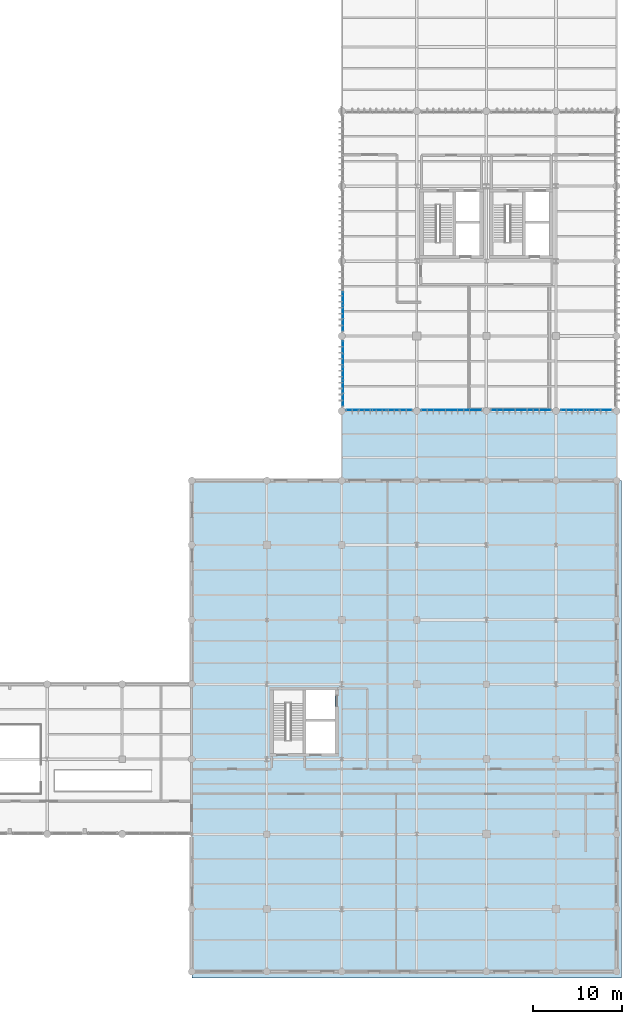
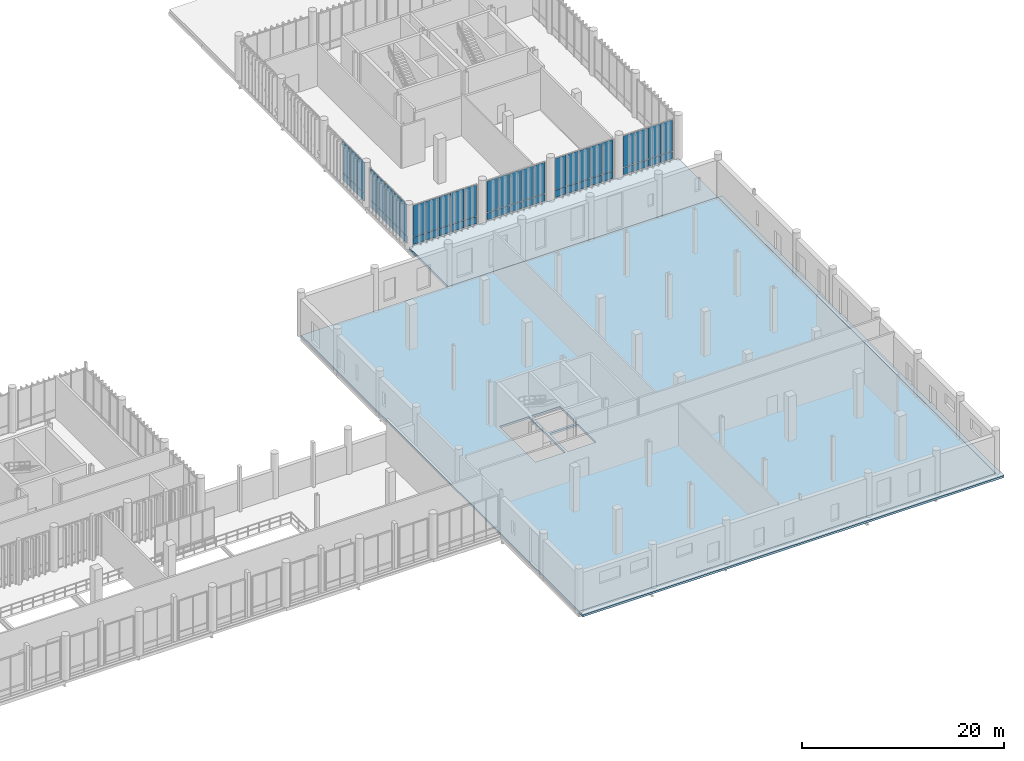
# One storey, part 101 of 128: 54 plates, 3 slabs, 6 elements without a shape of their own.
"""IFC4 building model written with IfcOpenShell, lengths in metres."""

from ifc_helpers import new_model, si_unit, direction, frame, frame_2d, origin_with_axes, place, context, subcontext, project, spatial, polyline, rectangle, outline, extrude, material, layer, layer_set, type_object, element, aggregate, save


model = new_model("IFC4")

# Units and contexts
model_context = context("Model", 3, precision=1e-05, world=origin_with_axes(), true_north=direction((0.0, 1.0)))
body_context = subcontext(model_context, "Body", "Model", "MODEL_VIEW")
ifc_project = project(units=[si_unit("LENGTHUNIT", "METRE"), si_unit("AREAUNIT", "SQUARE_METRE"), si_unit("VOLUMEUNIT", "CUBIC_METRE"), si_unit("PLANEANGLEUNIT", "RADIAN"), si_unit("MASSUNIT", "GRAM", prefix="KILO"), si_unit("THERMODYNAMICTEMPERATUREUNIT", "KELVIN")], contexts=[model_context])

# Site, building, storey
site_placement = place(None, origin_with_axes())
site = spatial("IfcSite", under=ifc_project, at=site_placement, CompositionType="ELEMENT")
building_placement = place(site_placement, origin_with_axes())
building = spatial("IfcBuilding", under=site, at=building_placement, Name="Montbau Bow Law Courts", CompositionType="ELEMENT")
storey_placement = place(building_placement, frame((0.0, 0.0, 5.4), z_axis=(0.0, 0.0, 1.0), x_axis=(1.0, 0.0, 0.0)))
storey = spatial("IfcBuildingStorey", under=building, at=storey_placement, Name="L01", CompositionType="ELEMENT", Elevation=5.4)

# Curtain wall, plates
ifc_material_1 = material(Name="Thermally Broken Extruded Aluminium AA 6063-T6", Category="aluminium")
curtain_wall_type = type_object("IfcCurtainWallType", Name="CW-SLT-01", PredefinedType="NOTDEFINED", material=ifc_material_1)
curtain_wall_1_placement = place(None, frame((139.115, 69.74, 5.4), z_axis=(0.0, 0.0, 1.0), x_axis=(1.0, 0.0, 0.0)))
curtain_wall_1 = element("IfcCurtainWall", 1, at=curtain_wall_1_placement, inside=storey, type_object=curtain_wall_type, Name="CW-L01-277:cw_0277", PredefinedType="NOTDEFINED")
ifc_material_2 = material(Name="Triple-Glazed Low-E Argon Insulating Glass Unit", Category="glass")
ifc_layer_1 = layer(ifc_material_2, 0.044, Name="Curtain Panel", Category="glass")
ifc_layer_set_1 = layer_set([ifc_layer_1], Name="Triple-Glazed Low-E Argon Insulating Glass Unit")
plate_type_1 = type_object("IfcPlateType", Name="PL-CWP-01", PredefinedType="CURTAIN_PANEL", material=ifc_layer_set_1)
plate_1_placement = place(None, frame((139.183, 69.74, 6.379), z_axis=(0.0, -1.0, 0.0), x_axis=(1.0, 0.0, 0.0)))
plate_1 = element("IfcPlate", 2, at=plate_1_placement, type_object=plate_type_1, Name="CW-L01-277-P01-2:cw_0277_P01_2", PredefinedType="CURTAIN_PANEL", context=body_context, shape_type="SweptSolid", body=[
    extrude(rectangle(XDim=1.372, YDim=3.784, at=frame_2d((0.686, 1.892), x_axis=(1.0, 0.0))), frame((0.0, 0.0, -0.022), z_axis=(0.0, 0.0, 1.0), x_axis=(1.0, 0.0, 0.0)), (0.0, 0.0, 1.0), 0.044),
])
plate_2_placement = place(None, frame((140.623, 69.74, 6.379), z_axis=(0.0, -1.0, 0.0), x_axis=(1.0, 0.0, 0.0)))
plate_2 = element("IfcPlate", 3, at=plate_2_placement, type_object=plate_type_1, Name="CW-L01-277-P02-2:cw_0277_P02_2", PredefinedType="CURTAIN_PANEL", context=body_context, shape_type="SweptSolid", body=[
    extrude(rectangle(XDim=1.405, YDim=3.784, at=frame_2d((0.7025, 1.892), x_axis=(1.0, 0.0))), frame((0.0, 0.0, -0.022), z_axis=(0.0, 0.0, 1.0), x_axis=(1.0, 0.0, 0.0)), (0.0, 0.0, 1.0), 0.044),
])
plate_3_placement = place(None, frame((142.097, 69.74, 6.379), z_axis=(0.0, -1.0, 0.0), x_axis=(1.0, 0.0, 0.0)))
plate_3 = element("IfcPlate", 4, at=plate_3_placement, type_object=plate_type_1, Name="CW-L01-277-P03-2:cw_0277_P03_2", PredefinedType="CURTAIN_PANEL", context=body_context, shape_type="SweptSolid", body=[
    extrude(rectangle(XDim=1.406, YDim=3.784, at=frame_2d((0.703, 1.892), x_axis=(1.0, 0.0))), frame((0.0, 0.0, -0.022), z_axis=(0.0, 0.0, 1.0), x_axis=(1.0, 0.0, 0.0)), (0.0, 0.0, 1.0), 0.044),
])
plate_4_placement = place(None, frame((143.571, 69.74, 6.379), z_axis=(0.0, -1.0, 0.0), x_axis=(1.0, 0.0, 0.0)))
plate_4 = element("IfcPlate", 5, at=plate_4_placement, type_object=plate_type_1, Name="CW-L01-277-P04-2:cw_0277_P04_2", PredefinedType="CURTAIN_PANEL", context=body_context, shape_type="SweptSolid", body=[
    extrude(rectangle(XDim=1.406, YDim=3.784, at=frame_2d((0.703, 1.892), x_axis=(1.0, 0.0))), frame((0.0, 0.0, -0.022), z_axis=(0.0, 0.0, 1.0), x_axis=(1.0, 0.0, 0.0)), (0.0, 0.0, 1.0), 0.044),
])
plate_5_placement = place(None, frame((145.045, 69.74, 6.379), z_axis=(0.0, -1.0, 0.0), x_axis=(1.0, 0.0, 0.0)))
plate_5 = element("IfcPlate", 6, at=plate_5_placement, type_object=plate_type_1, Name="CW-L01-277-P05-2:cw_0277_P05_2", PredefinedType="CURTAIN_PANEL", context=body_context, shape_type="SweptSolid", body=[
    extrude(rectangle(XDim=1.374, YDim=3.784, at=frame_2d((0.687, 1.892), x_axis=(1.0, 0.0))), frame((0.0, 0.0, -0.022), z_axis=(0.0, 0.0, 1.0), x_axis=(1.0, 0.0, 0.0)), (0.0, 0.0, 1.0), 0.044),
])

curtain_wall_2_placement = place(None, frame((147.515, 69.74, 5.4), z_axis=(0.0, 0.0, 1.0), x_axis=(1.0, 0.0, 0.0)))
curtain_wall_2 = element("IfcCurtainWall", 7, at=curtain_wall_2_placement, inside=storey, type_object=curtain_wall_type, Name="CW-L01-278:cw_0278", PredefinedType="NOTDEFINED")
plate_6_placement = place(None, frame((147.577, 69.74, 6.382), z_axis=(0.0, -1.0, 0.0), x_axis=(1.0, 0.0, 0.0)))
plate_6 = element("IfcPlate", 8, at=plate_6_placement, type_object=plate_type_1, Name="CW-L01-278-P01-2:cw_0278_P01_2", PredefinedType="CURTAIN_PANEL", context=body_context, shape_type="SweptSolid", body=[
    extrude(rectangle(XDim=1.26, YDim=3.776, at=frame_2d((0.63, 1.888), x_axis=(1.0, 0.0))), frame((0.0, 0.0, -0.022), z_axis=(0.0, 0.0, 1.0), x_axis=(1.0, 0.0, 0.0)), (0.0, 0.0, 1.0), 0.044),
])
plate_7_placement = place(None, frame((148.901, 69.74, 6.382), z_axis=(0.0, -1.0, 0.0), x_axis=(1.0, 0.0, 0.0)))
plate_7 = element("IfcPlate", 9, at=plate_7_placement, type_object=plate_type_1, Name="CW-L01-278-P02-2:cw_0278_P02_2", PredefinedType="CURTAIN_PANEL", context=body_context, shape_type="SweptSolid", body=[
    extrude(rectangle(XDim=1.29, YDim=3.776, at=frame_2d((0.645, 1.888), x_axis=(1.0, 0.0))), frame((0.0, 0.0, -0.022), z_axis=(0.0, 0.0, 1.0), x_axis=(1.0, 0.0, 0.0)), (0.0, 0.0, 1.0), 0.044),
])
plate_8_placement = place(None, frame((150.255, 69.74, 6.382), z_axis=(0.0, -1.0, 0.0), x_axis=(1.0, 0.0, 0.0)))
plate_8 = element("IfcPlate", 10, at=plate_8_placement, type_object=plate_type_1, Name="CW-L01-278-P03-2:cw_0278_P03_2", PredefinedType="CURTAIN_PANEL", context=body_context, shape_type="SweptSolid", body=[
    extrude(rectangle(XDim=1.29, YDim=3.776, at=frame_2d((0.645, 1.888), x_axis=(1.0, 0.0))), frame((0.0, 0.0, -0.022), z_axis=(0.0, 0.0, 1.0), x_axis=(1.0, 0.0, 0.0)), (0.0, 0.0, 1.0), 0.044),
])
plate_9_placement = place(None, frame((151.609, 69.74, 6.382), z_axis=(0.0, -1.0, 0.0), x_axis=(1.0, 0.0, 0.0)))
plate_9 = element("IfcPlate", 11, at=plate_9_placement, type_object=plate_type_1, Name="CW-L01-278-P04-2:cw_0278_P04_2", PredefinedType="CURTAIN_PANEL", context=body_context, shape_type="SweptSolid", body=[
    extrude(rectangle(XDim=1.29, YDim=3.776, at=frame_2d((0.645, 1.888), x_axis=(1.0, 0.0))), frame((0.0, 0.0, -0.022), z_axis=(0.0, 0.0, 1.0), x_axis=(1.0, 0.0, 0.0)), (0.0, 0.0, 1.0), 0.044),
])
plate_10_placement = place(None, frame((152.963, 69.74, 6.382), z_axis=(0.0, -1.0, 0.0), x_axis=(1.0, 0.0, 0.0)))
plate_10 = element("IfcPlate", 12, at=plate_10_placement, type_object=plate_type_1, Name="CW-L01-278-P05-2:cw_0278_P05_2", PredefinedType="CURTAIN_PANEL", context=body_context, shape_type="SweptSolid", body=[
    extrude(rectangle(XDim=1.26, YDim=3.776, at=frame_2d((0.63, 1.888), x_axis=(1.0, 0.0))), frame((0.0, 0.0, -0.022), z_axis=(0.0, 0.0, 1.0), x_axis=(1.0, 0.0, 0.0)), (0.0, 0.0, 1.0), 0.044),
])

curtain_wall_3_placement = place(None, frame((155.315, 69.74, 5.4), z_axis=(0.0, 0.0, 1.0), x_axis=(1.0, 0.0, 0.0)))
curtain_wall_3 = element("IfcCurtainWall", 13, at=curtain_wall_3_placement, inside=storey, type_object=curtain_wall_type, Name="CW-L01-279:cw_0279", PredefinedType="NOTDEFINED")
plate_11_placement = place(None, frame((155.391, 69.74, 6.379), z_axis=(0.0, -1.0, 0.0), x_axis=(1.0, 0.0, 0.0)))
plate_11 = element("IfcPlate", 14, at=plate_11_placement, type_object=plate_type_1, Name="CW-L01-279-P01-2:cw_0279_P01_2", PredefinedType="CURTAIN_PANEL", context=body_context, shape_type="SweptSolid", body=[
    extrude(rectangle(XDim=1.239, YDim=3.784, at=frame_2d((0.6195, 1.892), x_axis=(1.0, 0.0))), frame((0.0, 0.0, -0.022), z_axis=(0.0, 0.0, 1.0), x_axis=(1.0, 0.0, 0.0)), (0.0, 0.0, 1.0), 0.044),
])
plate_12_placement = place(None, frame((156.709, 69.74, 6.379), z_axis=(0.0, -1.0, 0.0), x_axis=(1.0, 0.0, 0.0)))
plate_12 = element("IfcPlate", 15, at=plate_12_placement, type_object=plate_type_1, Name="CW-L01-279-P02-2:cw_0279_P02_2", PredefinedType="CURTAIN_PANEL", context=body_context, shape_type="SweptSolid", body=[
    extrude(rectangle(XDim=1.275, YDim=3.784, at=frame_2d((0.6375, 1.892), x_axis=(1.0, 0.0))), frame((0.0, 0.0, -0.022), z_axis=(0.0, 0.0, 1.0), x_axis=(1.0, 0.0, 0.0)), (0.0, 0.0, 1.0), 0.044),
])
plate_13_placement = place(None, frame((158.063, 69.74, 6.379), z_axis=(0.0, -1.0, 0.0), x_axis=(1.0, 0.0, 0.0)))
plate_13 = element("IfcPlate", 16, at=plate_13_placement, type_object=plate_type_1, Name="CW-L01-279-P03-2:cw_0279_P03_2", PredefinedType="CURTAIN_PANEL", context=body_context, shape_type="SweptSolid", body=[
    extrude(rectangle(XDim=1.275, YDim=3.784, at=frame_2d((0.6375, 1.892), x_axis=(1.0, 0.0))), frame((0.0, 0.0, -0.022), z_axis=(0.0, 0.0, 1.0), x_axis=(1.0, 0.0, 0.0)), (0.0, 0.0, 1.0), 0.044),
])
plate_14_placement = place(None, frame((159.416, 69.74, 6.379), z_axis=(0.0, -1.0, 0.0), x_axis=(1.0, 0.0, 0.0)))
plate_14 = element("IfcPlate", 17, at=plate_14_placement, type_object=plate_type_1, Name="CW-L01-279-P04-2:cw_0279_P04_2", PredefinedType="CURTAIN_PANEL", context=body_context, shape_type="SweptSolid", body=[
    extrude(rectangle(XDim=1.276, YDim=3.784, at=frame_2d((0.638, 1.892), x_axis=(1.0, 0.0))), frame((0.0, 0.0, -0.022), z_axis=(0.0, 0.0, 1.0), x_axis=(1.0, 0.0, 0.0)), (0.0, 0.0, 1.0), 0.044),
])
plate_15_placement = place(None, frame((160.77, 69.74, 6.379), z_axis=(0.0, -1.0, 0.0), x_axis=(1.0, 0.0, 0.0)))
plate_15 = element("IfcPlate", 18, at=plate_15_placement, type_object=plate_type_1, Name="CW-L01-279-P05-2:cw_0279_P05_2", PredefinedType="CURTAIN_PANEL", context=body_context, shape_type="SweptSolid", body=[
    extrude(rectangle(XDim=1.239, YDim=3.784, at=frame_2d((0.6195, 1.892), x_axis=(1.0, 0.0))), frame((0.0, 0.0, -0.022), z_axis=(0.0, 0.0, 1.0), x_axis=(1.0, 0.0, 0.0)), (0.0, 0.0, 1.0), 0.044),
])

curtain_wall_4_placement = place(None, frame((163.115, 69.74, 5.4), z_axis=(0.0, 0.0, 1.0), x_axis=(1.0, 0.0, 0.0)))
curtain_wall_4 = element("IfcCurtainWall", 19, at=curtain_wall_4_placement, inside=storey, type_object=curtain_wall_type, Name="CW-L01-280:cw_0280", PredefinedType="NOTDEFINED")
plate_16_placement = place(None, frame((163.183, 69.74, 6.382), z_axis=(0.0, -1.0, 0.0), x_axis=(1.0, 0.0, 0.0)))
plate_16 = element("IfcPlate", 20, at=plate_16_placement, type_object=plate_type_1, Name="CW-L01-280-P01-2:cw_0280_P01_2", PredefinedType="CURTAIN_PANEL", context=body_context, shape_type="SweptSolid", body=[
    extrude(rectangle(XDim=1.339, YDim=3.776, at=frame_2d((0.6695, 1.888), x_axis=(1.0, 0.0))), frame((0.0, 0.0, -0.022), z_axis=(0.0, 0.0, 1.0), x_axis=(1.0, 0.0, 0.0)), (0.0, 0.0, 1.0), 0.044),
])
plate_17_placement = place(None, frame((164.591, 69.74, 6.382), z_axis=(0.0, -1.0, 0.0), x_axis=(1.0, 0.0, 0.0)))
plate_17 = element("IfcPlate", 21, at=plate_17_placement, type_object=plate_type_1, Name="CW-L01-280-P02-2:cw_0280_P02_2", PredefinedType="CURTAIN_PANEL", context=body_context, shape_type="SweptSolid", body=[
    extrude(rectangle(XDim=1.374, YDim=3.776, at=frame_2d((0.687, 1.888), x_axis=(1.0, 0.0))), frame((0.0, 0.0, -0.022), z_axis=(0.0, 0.0, 1.0), x_axis=(1.0, 0.0, 0.0)), (0.0, 0.0, 1.0), 0.044),
])
plate_18_placement = place(None, frame((166.034, 69.74, 6.382), z_axis=(0.0, -1.0, 0.0), x_axis=(1.0, 0.0, 0.0)))
plate_18 = element("IfcPlate", 22, at=plate_18_placement, type_object=plate_type_1, Name="CW-L01-280-P03-2:cw_0280_P03_2", PredefinedType="CURTAIN_PANEL", context=body_context, shape_type="SweptSolid", body=[
    extrude(rectangle(XDim=1.374, YDim=3.776, at=frame_2d((0.687, 1.888), x_axis=(1.0, 0.0))), frame((0.0, 0.0, -0.022), z_axis=(0.0, 0.0, 1.0), x_axis=(1.0, 0.0, 0.0)), (0.0, 0.0, 1.0), 0.044),
])
plate_19_placement = place(None, frame((167.476, 69.74, 6.382), z_axis=(0.0, -1.0, 0.0), x_axis=(1.0, 0.0, 0.0)))
plate_19 = element("IfcPlate", 23, at=plate_19_placement, type_object=plate_type_1, Name="CW-L01-280-P04-2:cw_0280_P04_2", PredefinedType="CURTAIN_PANEL", context=body_context, shape_type="SweptSolid", body=[
    extrude(rectangle(XDim=1.342, YDim=3.776, at=frame_2d((0.671, 1.888), x_axis=(1.0, 0.0))), frame((0.0, 0.0, -0.022), z_axis=(0.0, 0.0, 1.0), x_axis=(1.0, 0.0, 0.0)), (0.0, 0.0, 1.0), 0.044),
])

curtain_wall_5_placement = place(None, frame((138.74, 70.115, 5.4), z_axis=(0.0, 0.0, 1.0), x_axis=(1.0, 0.0, 0.0)))
curtain_wall_5 = element("IfcCurtainWall", 24, at=curtain_wall_5_placement, inside=storey, type_object=curtain_wall_type, Name="CW-L01-285:cw_0285", PredefinedType="NOTDEFINED")
plate_20_placement = place(None, frame((138.74, 70.191, 6.379), z_axis=(1.0, 0.0, 0.0), x_axis=(0.0, 1.0, 0.0)))
plate_20 = element("IfcPlate", 25, at=plate_20_placement, type_object=plate_type_1, Name="CW-L01-285-P01-2:cw_0285_P01_2", PredefinedType="CURTAIN_PANEL", context=body_context, shape_type="SweptSolid", body=[
    extrude(rectangle(XDim=1.358, YDim=3.784, at=frame_2d((0.679, 1.892), x_axis=(1.0, 0.0))), frame((0.0, 0.0, -0.022), z_axis=(0.0, 0.0, 1.0), x_axis=(1.0, 0.0, 0.0)), (0.0, 0.0, 1.0), 0.044),
])
plate_21_placement = place(None, frame((138.74, 71.629, 6.379), z_axis=(1.0, 0.0, 0.0), x_axis=(0.0, 1.0, 0.0)))
plate_21 = element("IfcPlate", 26, at=plate_21_placement, type_object=plate_type_1, Name="CW-L01-285-P02-2:cw_0285_P02_2", PredefinedType="CURTAIN_PANEL", context=body_context, shape_type="SweptSolid", body=[
    extrude(rectangle(XDim=1.395, YDim=3.784, at=frame_2d((0.6975, 1.892), x_axis=(1.0, 0.0))), frame((0.0, 0.0, -0.022), z_axis=(0.0, 0.0, 1.0), x_axis=(1.0, 0.0, 0.0)), (0.0, 0.0, 1.0), 0.044),
])
plate_22_placement = place(None, frame((138.74, 73.102, 6.379), z_axis=(1.0, 0.0, 0.0), x_axis=(0.0, 1.0, 0.0)))
plate_22 = element("IfcPlate", 27, at=plate_22_placement, type_object=plate_type_1, Name="CW-L01-285-P03-2:cw_0285_P03_2", PredefinedType="CURTAIN_PANEL", context=body_context, shape_type="SweptSolid", body=[
    extrude(rectangle(XDim=1.396, YDim=3.784, at=frame_2d((0.698, 1.892), x_axis=(1.0, 0.0))), frame((0.0, 0.0, -0.022), z_axis=(0.0, 0.0, 1.0), x_axis=(1.0, 0.0, 0.0)), (0.0, 0.0, 1.0), 0.044),
])
plate_23_placement = place(None, frame((138.74, 74.576, 6.379), z_axis=(1.0, 0.0, 0.0), x_axis=(0.0, 1.0, 0.0)))
plate_23 = element("IfcPlate", 28, at=plate_23_placement, type_object=plate_type_1, Name="CW-L01-285-P04-2:cw_0285_P04_2", PredefinedType="CURTAIN_PANEL", context=body_context, shape_type="SweptSolid", body=[
    extrude(rectangle(XDim=1.396, YDim=3.784, at=frame_2d((0.698, 1.892), x_axis=(1.0, 0.0))), frame((0.0, 0.0, -0.022), z_axis=(0.0, 0.0, 1.0), x_axis=(1.0, 0.0, 0.0)), (0.0, 0.0, 1.0), 0.044),
])
plate_24_placement = place(None, frame((138.74, 76.05, 6.379), z_axis=(1.0, 0.0, 0.0), x_axis=(0.0, 1.0, 0.0)))
plate_24 = element("IfcPlate", 29, at=plate_24_placement, type_object=plate_type_1, Name="CW-L01-285-P05-2:cw_0285_P05_2", PredefinedType="CURTAIN_PANEL", context=body_context, shape_type="SweptSolid", body=[
    extrude(rectangle(XDim=1.359, YDim=3.784, at=frame_2d((0.6795, 1.892), x_axis=(1.0, 0.0))), frame((0.0, 0.0, -0.022), z_axis=(0.0, 0.0, 1.0), x_axis=(1.0, 0.0, 0.0)), (0.0, 0.0, 1.0), 0.044),
])

curtain_wall_6_placement = place(None, frame((138.74, 78.515, 5.4), z_axis=(0.0, 0.0, 1.0), x_axis=(1.0, 0.0, 0.0)))
curtain_wall_6 = element("IfcCurtainWall", 30, at=curtain_wall_6_placement, inside=storey, type_object=curtain_wall_type, Name="CW-L01-286:cw_0286", PredefinedType="NOTDEFINED")
plate_25_placement = place(None, frame((138.74, 78.583, 6.382), z_axis=(1.0, 0.0, 0.0), x_axis=(0.0, 1.0, 0.0)))
plate_25 = element("IfcPlate", 31, at=plate_25_placement, type_object=plate_type_1, Name="CW-L01-286-P01-2:cw_0286_P01_2", PredefinedType="CURTAIN_PANEL", context=body_context, shape_type="SweptSolid", body=[
    extrude(rectangle(XDim=1.372, YDim=3.776, at=frame_2d((0.686, 1.888), x_axis=(1.0, 0.0))), frame((0.0, 0.0, -0.022), z_axis=(0.0, 0.0, 1.0), x_axis=(1.0, 0.0, 0.0)), (0.0, 0.0, 1.0), 0.044),
])
plate_26_placement = place(None, frame((138.74, 80.023, 6.382), z_axis=(1.0, 0.0, 0.0), x_axis=(0.0, 1.0, 0.0)))
plate_26 = element("IfcPlate", 32, at=plate_26_placement, type_object=plate_type_1, Name="CW-L01-286-P02-2:cw_0286_P02_2", PredefinedType="CURTAIN_PANEL", context=body_context, shape_type="SweptSolid", body=[
    extrude(rectangle(XDim=1.405, YDim=3.776, at=frame_2d((0.7025, 1.888), x_axis=(1.0, 0.0))), frame((0.0, 0.0, -0.022), z_axis=(0.0, 0.0, 1.0), x_axis=(1.0, 0.0, 0.0)), (0.0, 0.0, 1.0), 0.044),
])
plate_27_placement = place(None, frame((138.74, 81.497, 6.382), z_axis=(1.0, 0.0, 0.0), x_axis=(0.0, 1.0, 0.0)))
plate_27 = element("IfcPlate", 33, at=plate_27_placement, type_object=plate_type_1, Name="CW-L01-286-P03-2:cw_0286_P03_2", PredefinedType="CURTAIN_PANEL", context=body_context, shape_type="SweptSolid", body=[
    extrude(rectangle(XDim=1.406, YDim=3.776, at=frame_2d((0.703, 1.888), x_axis=(1.0, 0.0))), frame((0.0, 0.0, -0.022), z_axis=(0.0, 0.0, 1.0), x_axis=(1.0, 0.0, 0.0)), (0.0, 0.0, 1.0), 0.044),
])

# Plate
ifc_material_3 = material(Name="Insulated Ceramic-Frit Spandrel Glazing Unit", Category="glass")
ifc_layer_2 = layer(ifc_material_3, 0.056, Name="Curtain Panel", Category="glass")
ifc_layer_set_2 = layer_set([ifc_layer_2], Name="Insulated Ceramic-Frit Spandrel Glazing Unit")
plate_type_2 = type_object("IfcPlateType", Name="PL-CWP-02", PredefinedType="CURTAIN_PANEL", material=ifc_layer_set_2)
plate_28_placement = place(None, frame((139.183, 69.74, 5.457), z_axis=(0.0, -1.0, 0.0), x_axis=(1.0, 0.0, 0.0)))
plate_28 = element("IfcPlate", 34, at=plate_28_placement, type_object=plate_type_2, Name="CW-L01-277-P01-1:cw_0277_P01_1", PredefinedType="CURTAIN_PANEL", context=body_context, shape_type="SweptSolid", body=[
    extrude(rectangle(XDim=1.372, YDim=0.864, at=frame_2d((0.686, 0.432), x_axis=(1.0, 0.0))), frame((0.0, 0.0, -0.028), z_axis=(0.0, 0.0, 1.0), x_axis=(1.0, 0.0, 0.0)), (0.0, 0.0, 1.0), 0.056),
])

plate_29_placement = place(None, frame((140.623, 69.74, 5.457), z_axis=(0.0, -1.0, 0.0), x_axis=(1.0, 0.0, 0.0)))
plate_29 = element("IfcPlate", 35, at=plate_29_placement, type_object=plate_type_2, Name="CW-L01-277-P02-1:cw_0277_P02_1", PredefinedType="CURTAIN_PANEL", context=body_context, shape_type="SweptSolid", body=[
    extrude(rectangle(XDim=1.405, YDim=0.864, at=frame_2d((0.7025, 0.432), x_axis=(1.0, 0.0))), frame((0.0, 0.0, -0.028), z_axis=(0.0, 0.0, 1.0), x_axis=(1.0, 0.0, 0.0)), (0.0, 0.0, 1.0), 0.056),
])

plate_30_placement = place(None, frame((142.097, 69.74, 5.457), z_axis=(0.0, -1.0, 0.0), x_axis=(1.0, 0.0, 0.0)))
plate_30 = element("IfcPlate", 36, at=plate_30_placement, type_object=plate_type_2, Name="CW-L01-277-P03-1:cw_0277_P03_1", PredefinedType="CURTAIN_PANEL", context=body_context, shape_type="SweptSolid", body=[
    extrude(rectangle(XDim=1.406, YDim=0.864, at=frame_2d((0.703, 0.432), x_axis=(1.0, 0.0))), frame((0.0, 0.0, -0.028), z_axis=(0.0, 0.0, 1.0), x_axis=(1.0, 0.0, 0.0)), (0.0, 0.0, 1.0), 0.056),
])

plate_31_placement = place(None, frame((143.571, 69.74, 5.457), z_axis=(0.0, -1.0, 0.0), x_axis=(1.0, 0.0, 0.0)))
plate_31 = element("IfcPlate", 37, at=plate_31_placement, type_object=plate_type_2, Name="CW-L01-277-P04-1:cw_0277_P04_1", PredefinedType="CURTAIN_PANEL", context=body_context, shape_type="SweptSolid", body=[
    extrude(rectangle(XDim=1.406, YDim=0.864, at=frame_2d((0.703, 0.432), x_axis=(1.0, 0.0))), frame((0.0, 0.0, -0.028), z_axis=(0.0, 0.0, 1.0), x_axis=(1.0, 0.0, 0.0)), (0.0, 0.0, 1.0), 0.056),
])

plate_32_placement = place(None, frame((145.045, 69.74, 5.457), z_axis=(0.0, -1.0, 0.0), x_axis=(1.0, 0.0, 0.0)))
plate_32 = element("IfcPlate", 38, at=plate_32_placement, type_object=plate_type_2, Name="CW-L01-277-P05-1:cw_0277_P05_1", PredefinedType="CURTAIN_PANEL", context=body_context, shape_type="SweptSolid", body=[
    extrude(rectangle(XDim=1.374, YDim=0.864, at=frame_2d((0.687, 0.432), x_axis=(1.0, 0.0))), frame((0.0, 0.0, -0.028), z_axis=(0.0, 0.0, 1.0), x_axis=(1.0, 0.0, 0.0)), (0.0, 0.0, 1.0), 0.056),
])

aggregate(curtain_wall_1, [plate_28, plate_1, plate_29, plate_2, plate_30, plate_3, plate_31, plate_4, plate_32, plate_5])

plate_33_placement = place(None, frame((147.577, 69.74, 5.462), z_axis=(0.0, -1.0, 0.0), x_axis=(1.0, 0.0, 0.0)))
plate_33 = element("IfcPlate", 39, at=plate_33_placement, type_object=plate_type_2, Name="CW-L01-278-P01-1:cw_0278_P01_1", PredefinedType="CURTAIN_PANEL", context=body_context, shape_type="SweptSolid", body=[
    extrude(rectangle(XDim=1.26, YDim=0.856, at=frame_2d((0.63, 0.428), x_axis=(1.0, 0.0))), frame((0.0, 0.0, -0.028), z_axis=(0.0, 0.0, 1.0), x_axis=(1.0, 0.0, 0.0)), (0.0, 0.0, 1.0), 0.056),
])

plate_34_placement = place(None, frame((148.901, 69.74, 5.462), z_axis=(0.0, -1.0, 0.0), x_axis=(1.0, 0.0, 0.0)))
plate_34 = element("IfcPlate", 40, at=plate_34_placement, type_object=plate_type_2, Name="CW-L01-278-P02-1:cw_0278_P02_1", PredefinedType="CURTAIN_PANEL", context=body_context, shape_type="SweptSolid", body=[
    extrude(rectangle(XDim=1.29, YDim=0.856, at=frame_2d((0.645, 0.428), x_axis=(1.0, 0.0))), frame((0.0, 0.0, -0.028), z_axis=(0.0, 0.0, 1.0), x_axis=(1.0, 0.0, 0.0)), (0.0, 0.0, 1.0), 0.056),
])

plate_35_placement = place(None, frame((150.255, 69.74, 5.462), z_axis=(0.0, -1.0, 0.0), x_axis=(1.0, 0.0, 0.0)))
plate_35 = element("IfcPlate", 41, at=plate_35_placement, type_object=plate_type_2, Name="CW-L01-278-P03-1:cw_0278_P03_1", PredefinedType="CURTAIN_PANEL", context=body_context, shape_type="SweptSolid", body=[
    extrude(rectangle(XDim=1.29, YDim=0.856, at=frame_2d((0.645, 0.428), x_axis=(1.0, 0.0))), frame((0.0, 0.0, -0.028), z_axis=(0.0, 0.0, 1.0), x_axis=(1.0, 0.0, 0.0)), (0.0, 0.0, 1.0), 0.056),
])

plate_36_placement = place(None, frame((151.609, 69.74, 5.462), z_axis=(0.0, -1.0, 0.0), x_axis=(1.0, 0.0, 0.0)))
plate_36 = element("IfcPlate", 42, at=plate_36_placement, type_object=plate_type_2, Name="CW-L01-278-P04-1:cw_0278_P04_1", PredefinedType="CURTAIN_PANEL", context=body_context, shape_type="SweptSolid", body=[
    extrude(rectangle(XDim=1.29, YDim=0.856, at=frame_2d((0.645, 0.428), x_axis=(1.0, 0.0))), frame((0.0, 0.0, -0.028), z_axis=(0.0, 0.0, 1.0), x_axis=(1.0, 0.0, 0.0)), (0.0, 0.0, 1.0), 0.056),
])

plate_37_placement = place(None, frame((152.963, 69.74, 5.462), z_axis=(0.0, -1.0, 0.0), x_axis=(1.0, 0.0, 0.0)))
plate_37 = element("IfcPlate", 43, at=plate_37_placement, type_object=plate_type_2, Name="CW-L01-278-P05-1:cw_0278_P05_1", PredefinedType="CURTAIN_PANEL", context=body_context, shape_type="SweptSolid", body=[
    extrude(rectangle(XDim=1.26, YDim=0.856, at=frame_2d((0.63, 0.428), x_axis=(1.0, 0.0))), frame((0.0, 0.0, -0.028), z_axis=(0.0, 0.0, 1.0), x_axis=(1.0, 0.0, 0.0)), (0.0, 0.0, 1.0), 0.056),
])

aggregate(curtain_wall_2, [plate_33, plate_6, plate_34, plate_7, plate_35, plate_8, plate_36, plate_9, plate_37, plate_10])

plate_38_placement = place(None, frame((155.391, 69.74, 5.457), z_axis=(0.0, -1.0, 0.0), x_axis=(1.0, 0.0, 0.0)))
plate_38 = element("IfcPlate", 44, at=plate_38_placement, type_object=plate_type_2, Name="CW-L01-279-P01-1:cw_0279_P01_1", PredefinedType="CURTAIN_PANEL", context=body_context, shape_type="SweptSolid", body=[
    extrude(rectangle(XDim=1.239, YDim=0.864, at=frame_2d((0.6195, 0.432), x_axis=(1.0, 0.0))), frame((0.0, 0.0, -0.028), z_axis=(0.0, 0.0, 1.0), x_axis=(1.0, 0.0, 0.0)), (0.0, 0.0, 1.0), 0.056),
])

plate_39_placement = place(None, frame((156.709, 69.74, 5.457), z_axis=(0.0, -1.0, 0.0), x_axis=(1.0, 0.0, 0.0)))
plate_39 = element("IfcPlate", 45, at=plate_39_placement, type_object=plate_type_2, Name="CW-L01-279-P02-1:cw_0279_P02_1", PredefinedType="CURTAIN_PANEL", context=body_context, shape_type="SweptSolid", body=[
    extrude(rectangle(XDim=1.275, YDim=0.864, at=frame_2d((0.6375, 0.432), x_axis=(1.0, 0.0))), frame((0.0, 0.0, -0.028), z_axis=(0.0, 0.0, 1.0), x_axis=(1.0, 0.0, 0.0)), (0.0, 0.0, 1.0), 0.056),
])

plate_40_placement = place(None, frame((158.063, 69.74, 5.457), z_axis=(0.0, -1.0, 0.0), x_axis=(1.0, 0.0, 0.0)))
plate_40 = element("IfcPlate", 46, at=plate_40_placement, type_object=plate_type_2, Name="CW-L01-279-P03-1:cw_0279_P03_1", PredefinedType="CURTAIN_PANEL", context=body_context, shape_type="SweptSolid", body=[
    extrude(rectangle(XDim=1.275, YDim=0.864, at=frame_2d((0.6375, 0.432), x_axis=(1.0, 0.0))), frame((0.0, 0.0, -0.028), z_axis=(0.0, 0.0, 1.0), x_axis=(1.0, 0.0, 0.0)), (0.0, 0.0, 1.0), 0.056),
])

plate_41_placement = place(None, frame((159.416, 69.74, 5.457), z_axis=(0.0, -1.0, 0.0), x_axis=(1.0, 0.0, 0.0)))
plate_41 = element("IfcPlate", 47, at=plate_41_placement, type_object=plate_type_2, Name="CW-L01-279-P04-1:cw_0279_P04_1", PredefinedType="CURTAIN_PANEL", context=body_context, shape_type="SweptSolid", body=[
    extrude(rectangle(XDim=1.276, YDim=0.864, at=frame_2d((0.638, 0.432), x_axis=(1.0, 0.0))), frame((0.0, 0.0, -0.028), z_axis=(0.0, 0.0, 1.0), x_axis=(1.0, 0.0, 0.0)), (0.0, 0.0, 1.0), 0.056),
])

plate_42_placement = place(None, frame((160.77, 69.74, 5.457), z_axis=(0.0, -1.0, 0.0), x_axis=(1.0, 0.0, 0.0)))
plate_42 = element("IfcPlate", 48, at=plate_42_placement, type_object=plate_type_2, Name="CW-L01-279-P05-1:cw_0279_P05_1", PredefinedType="CURTAIN_PANEL", context=body_context, shape_type="SweptSolid", body=[
    extrude(rectangle(XDim=1.239, YDim=0.864, at=frame_2d((0.6195, 0.432), x_axis=(1.0, 0.0))), frame((0.0, 0.0, -0.028), z_axis=(0.0, 0.0, 1.0), x_axis=(1.0, 0.0, 0.0)), (0.0, 0.0, 1.0), 0.056),
])

aggregate(curtain_wall_3, [plate_38, plate_11, plate_39, plate_12, plate_40, plate_13, plate_41, plate_14, plate_42, plate_15])

plate_43_placement = place(None, frame((163.183, 69.74, 5.462), z_axis=(0.0, -1.0, 0.0), x_axis=(1.0, 0.0, 0.0)))
plate_43 = element("IfcPlate", 49, at=plate_43_placement, type_object=plate_type_2, Name="CW-L01-280-P01-1:cw_0280_P01_1", PredefinedType="CURTAIN_PANEL", context=body_context, shape_type="SweptSolid", body=[
    extrude(rectangle(XDim=1.339, YDim=0.856, at=frame_2d((0.6695, 0.428), x_axis=(1.0, 0.0))), frame((0.0, 0.0, -0.028), z_axis=(0.0, 0.0, 1.0), x_axis=(1.0, 0.0, 0.0)), (0.0, 0.0, 1.0), 0.056),
])

plate_44_placement = place(None, frame((164.591, 69.74, 5.462), z_axis=(0.0, -1.0, 0.0), x_axis=(1.0, 0.0, 0.0)))
plate_44 = element("IfcPlate", 50, at=plate_44_placement, type_object=plate_type_2, Name="CW-L01-280-P02-1:cw_0280_P02_1", PredefinedType="CURTAIN_PANEL", context=body_context, shape_type="SweptSolid", body=[
    extrude(rectangle(XDim=1.374, YDim=0.856, at=frame_2d((0.687, 0.428), x_axis=(1.0, 0.0))), frame((0.0, 0.0, -0.028), z_axis=(0.0, 0.0, 1.0), x_axis=(1.0, 0.0, 0.0)), (0.0, 0.0, 1.0), 0.056),
])

plate_45_placement = place(None, frame((166.034, 69.74, 5.462), z_axis=(0.0, -1.0, 0.0), x_axis=(1.0, 0.0, 0.0)))
plate_45 = element("IfcPlate", 51, at=plate_45_placement, type_object=plate_type_2, Name="CW-L01-280-P03-1:cw_0280_P03_1", PredefinedType="CURTAIN_PANEL", context=body_context, shape_type="SweptSolid", body=[
    extrude(rectangle(XDim=1.374, YDim=0.856, at=frame_2d((0.687, 0.428), x_axis=(1.0, 0.0))), frame((0.0, 0.0, -0.028), z_axis=(0.0, 0.0, 1.0), x_axis=(1.0, 0.0, 0.0)), (0.0, 0.0, 1.0), 0.056),
])

plate_46_placement = place(None, frame((167.476, 69.74, 5.462), z_axis=(0.0, -1.0, 0.0), x_axis=(1.0, 0.0, 0.0)))
plate_46 = element("IfcPlate", 52, at=plate_46_placement, type_object=plate_type_2, Name="CW-L01-280-P04-1:cw_0280_P04_1", PredefinedType="CURTAIN_PANEL", context=body_context, shape_type="SweptSolid", body=[
    extrude(rectangle(XDim=1.342, YDim=0.856, at=frame_2d((0.671, 0.428), x_axis=(1.0, 0.0))), frame((0.0, 0.0, -0.028), z_axis=(0.0, 0.0, 1.0), x_axis=(1.0, 0.0, 0.0)), (0.0, 0.0, 1.0), 0.056),
])

aggregate(curtain_wall_4, [plate_43, plate_16, plate_44, plate_17, plate_45, plate_18, plate_46, plate_19])

plate_47_placement = place(None, frame((138.74, 70.191, 5.457), z_axis=(1.0, 0.0, 0.0), x_axis=(0.0, 1.0, 0.0)))
plate_47 = element("IfcPlate", 53, at=plate_47_placement, type_object=plate_type_2, Name="CW-L01-285-P01-1:cw_0285_P01_1", PredefinedType="CURTAIN_PANEL", context=body_context, shape_type="SweptSolid", body=[
    extrude(rectangle(XDim=1.358, YDim=0.864, at=frame_2d((0.679, 0.432), x_axis=(1.0, 0.0))), frame((0.0, 0.0, -0.028), z_axis=(0.0, 0.0, 1.0), x_axis=(1.0, 0.0, 0.0)), (0.0, 0.0, 1.0), 0.056),
])

plate_48_placement = place(None, frame((138.74, 71.629, 5.457), z_axis=(1.0, 0.0, 0.0), x_axis=(0.0, 1.0, 0.0)))
plate_48 = element("IfcPlate", 54, at=plate_48_placement, type_object=plate_type_2, Name="CW-L01-285-P02-1:cw_0285_P02_1", PredefinedType="CURTAIN_PANEL", context=body_context, shape_type="SweptSolid", body=[
    extrude(rectangle(XDim=1.395, YDim=0.864, at=frame_2d((0.6975, 0.432), x_axis=(1.0, 0.0))), frame((0.0, 0.0, -0.028), z_axis=(0.0, 0.0, 1.0), x_axis=(1.0, 0.0, 0.0)), (0.0, 0.0, 1.0), 0.056),
])

plate_49_placement = place(None, frame((138.74, 73.102, 5.457), z_axis=(1.0, 0.0, 0.0), x_axis=(0.0, 1.0, 0.0)))
plate_49 = element("IfcPlate", 55, at=plate_49_placement, type_object=plate_type_2, Name="CW-L01-285-P03-1:cw_0285_P03_1", PredefinedType="CURTAIN_PANEL", context=body_context, shape_type="SweptSolid", body=[
    extrude(rectangle(XDim=1.396, YDim=0.864, at=frame_2d((0.698, 0.432), x_axis=(1.0, 0.0))), frame((0.0, 0.0, -0.028), z_axis=(0.0, 0.0, 1.0), x_axis=(1.0, 0.0, 0.0)), (0.0, 0.0, 1.0), 0.056),
])

plate_50_placement = place(None, frame((138.74, 74.576, 5.457), z_axis=(1.0, 0.0, 0.0), x_axis=(0.0, 1.0, 0.0)))
plate_50 = element("IfcPlate", 56, at=plate_50_placement, type_object=plate_type_2, Name="CW-L01-285-P04-1:cw_0285_P04_1", PredefinedType="CURTAIN_PANEL", context=body_context, shape_type="SweptSolid", body=[
    extrude(rectangle(XDim=1.396, YDim=0.864, at=frame_2d((0.698, 0.432), x_axis=(1.0, 0.0))), frame((0.0, 0.0, -0.028), z_axis=(0.0, 0.0, 1.0), x_axis=(1.0, 0.0, 0.0)), (0.0, 0.0, 1.0), 0.056),
])

plate_51_placement = place(None, frame((138.74, 76.05, 5.457), z_axis=(1.0, 0.0, 0.0), x_axis=(0.0, 1.0, 0.0)))
plate_51 = element("IfcPlate", 57, at=plate_51_placement, type_object=plate_type_2, Name="CW-L01-285-P05-1:cw_0285_P05_1", PredefinedType="CURTAIN_PANEL", context=body_context, shape_type="SweptSolid", body=[
    extrude(rectangle(XDim=1.359, YDim=0.864, at=frame_2d((0.6795, 0.432), x_axis=(1.0, 0.0))), frame((0.0, 0.0, -0.028), z_axis=(0.0, 0.0, 1.0), x_axis=(1.0, 0.0, 0.0)), (0.0, 0.0, 1.0), 0.056),
])

aggregate(curtain_wall_5, [plate_47, plate_20, plate_48, plate_21, plate_49, plate_22, plate_50, plate_23, plate_51, plate_24])

plate_52_placement = place(None, frame((138.74, 78.583, 5.462), z_axis=(1.0, 0.0, 0.0), x_axis=(0.0, 1.0, 0.0)))
plate_52 = element("IfcPlate", 58, at=plate_52_placement, type_object=plate_type_2, Name="CW-L01-286-P01-1:cw_0286_P01_1", PredefinedType="CURTAIN_PANEL", context=body_context, shape_type="SweptSolid", body=[
    extrude(rectangle(XDim=1.372, YDim=0.856, at=frame_2d((0.686, 0.428), x_axis=(1.0, 0.0))), frame((0.0, 0.0, -0.028), z_axis=(0.0, 0.0, 1.0), x_axis=(1.0, 0.0, 0.0)), (0.0, 0.0, 1.0), 0.056),
])

plate_53_placement = place(None, frame((138.74, 80.023, 5.462), z_axis=(1.0, 0.0, 0.0), x_axis=(0.0, 1.0, 0.0)))
plate_53 = element("IfcPlate", 59, at=plate_53_placement, type_object=plate_type_2, Name="CW-L01-286-P02-1:cw_0286_P02_1", PredefinedType="CURTAIN_PANEL", context=body_context, shape_type="SweptSolid", body=[
    extrude(rectangle(XDim=1.405, YDim=0.856, at=frame_2d((0.7025, 0.428), x_axis=(1.0, 0.0))), frame((0.0, 0.0, -0.028), z_axis=(0.0, 0.0, 1.0), x_axis=(1.0, 0.0, 0.0)), (0.0, 0.0, 1.0), 0.056),
])

plate_54_placement = place(None, frame((138.74, 81.497, 5.462), z_axis=(1.0, 0.0, 0.0), x_axis=(0.0, 1.0, 0.0)))
plate_54 = element("IfcPlate", 60, at=plate_54_placement, type_object=plate_type_2, Name="CW-L01-286-P03-1:cw_0286_P03_1", PredefinedType="CURTAIN_PANEL", context=body_context, shape_type="SweptSolid", body=[
    extrude(rectangle(XDim=1.406, YDim=0.856, at=frame_2d((0.703, 0.428), x_axis=(1.0, 0.0))), frame((0.0, 0.0, -0.028), z_axis=(0.0, 0.0, 1.0), x_axis=(1.0, 0.0, 0.0)), (0.0, 0.0, 1.0), 0.056),
])

aggregate(curtain_wall_6, [plate_52, plate_25, plate_53, plate_26, plate_54, plate_27])

# Slabs
ifc_material_4 = material(Name="Concrete CSA A23.1 f'c 40 MPa", Category="concrete")
ifc_layer_3 = layer(ifc_material_4, 0.24, Name="Floor Slab", Category="concrete")
ifc_layer_set_3 = layer_set([ifc_layer_3], Name="Concrete CSA A23.1 f'c 40 MPa")
slab_type_1 = type_object("IfcSlabType", Name="SL-FLR-03", PredefinedType="FLOOR", material=ifc_layer_set_3)
slab_1_placement = place(None, frame((0.0, 0.0, 5.16), z_axis=(0.0, 0.0, 1.0), x_axis=(1.0, 0.0, 0.0)))
element("IfcSlab", 61, at=slab_1_placement, inside=storey, type_object=slab_type_1, Name="SL-V6-L01:slb_0036", PredefinedType="FLOOR", context=body_context, shape_type="SweptSolid", body=[
    extrude(outline(polyline([(121.8, 6.8), (169.4, 6.8), (169.4, 61.8), (121.8, 61.8), (121.8, 6.8)]), holes=[polyline([(130.92, 31.258), (134.3, 31.258), (134.3, 38.36), (130.92, 38.36), (130.92, 31.258)]), polyline([(134.6, 31.24), (137.835, 31.24), (137.835, 34.822), (134.6, 34.822), (134.6, 31.24)]), polyline([(134.6, 35.062), (137.835, 35.062), (137.835, 38.36), (134.6, 38.36), (134.6, 35.062)])]), origin_with_axes(), (0.0, 0.0, 1.0), 0.24),
])
ifc_layer_4 = layer(ifc_material_4, 0.25, Name="Roof Slab", Category="concrete")
ifc_layer_set_4 = layer_set([ifc_layer_4], Name="Concrete CSA A23.1 f'c 40 MPa")
slab_type_2 = type_object("IfcSlabType", Name="SL-ROF-01", PredefinedType="ROOF", material=ifc_layer_set_4)
slab_2_placement = place(None, frame((0.0, 0.0, 5.15), z_axis=(0.0, 0.0, 1.0), x_axis=(1.0, 0.0, 0.0)))
element("IfcSlab", 62, at=slab_2_placement, inside=storey, type_object=slab_type_2, Name="RF-SLB-LID-L01-11:slb_0062", PredefinedType="ROOF", context=body_context, shape_type="SweptSolid", body=[
    extrude(outline(polyline([(169.92, 61.8), (169.92, 6.08), (121.8, 6.08), (121.8, 6.796), (169.404, 6.796), (169.404, 61.8), (169.92, 61.8)])), origin_with_axes(), (0.0, 0.0, 1.0), 0.25),
])
ifc_layer_5 = layer(ifc_material_4, 0.29, Name="Roof Slab", Category="concrete")
ifc_layer_set_5 = layer_set([ifc_layer_5], Name="Concrete CSA A23.1 f'c 40 MPa")
slab_type_3 = type_object("IfcSlabType", Name="SL-ROF-02", PredefinedType="ROOF", material=ifc_layer_set_5)
slab_3_placement = place(None, frame((0.0, 0.0, 5.11), z_axis=(0.0, 0.0, 1.0), x_axis=(1.0, 0.0, 0.0)))
element("IfcSlab", 63, at=slab_3_placement, inside=storey, type_object=slab_type_3, Name="RF-SLB-LID-L01-12:slb_0063", PredefinedType="ROOF", context=body_context, shape_type="SweptSolid", body=[
    extrude(outline(polyline([(138.6, 69.596), (169.4, 69.596), (169.4, 61.804), (138.6, 61.804), (138.6, 69.596)])), origin_with_axes(), (0.0, 0.0, 1.0), 0.29),
])

save(model, "model.ifc")
